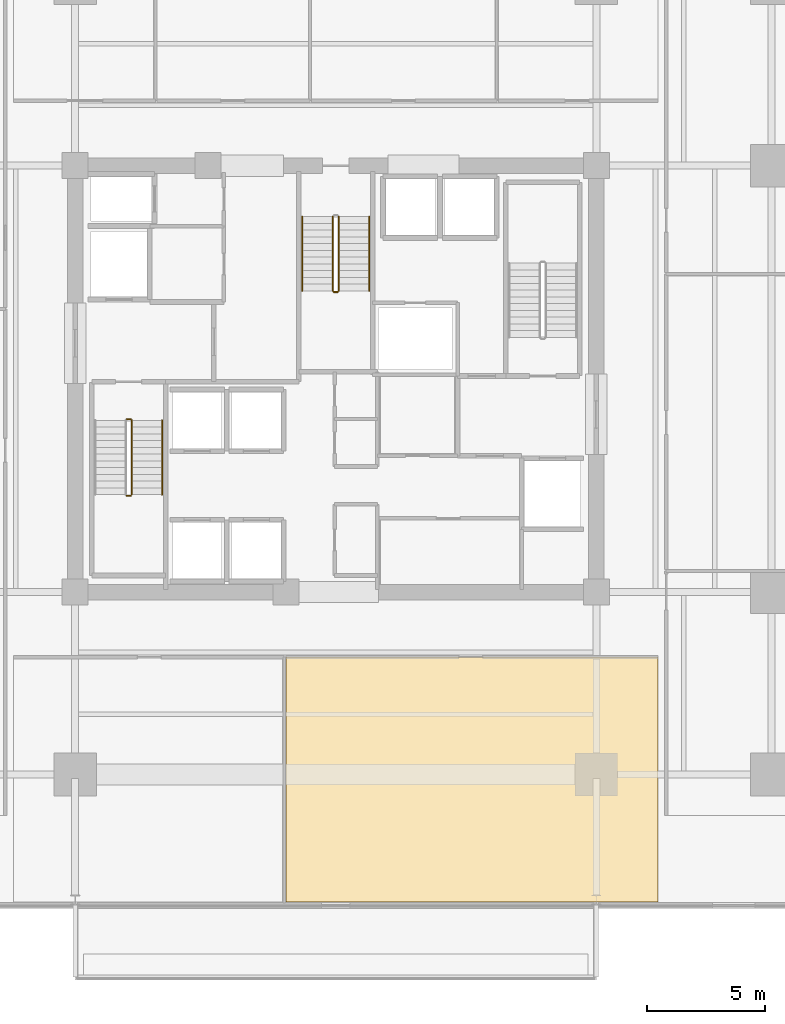
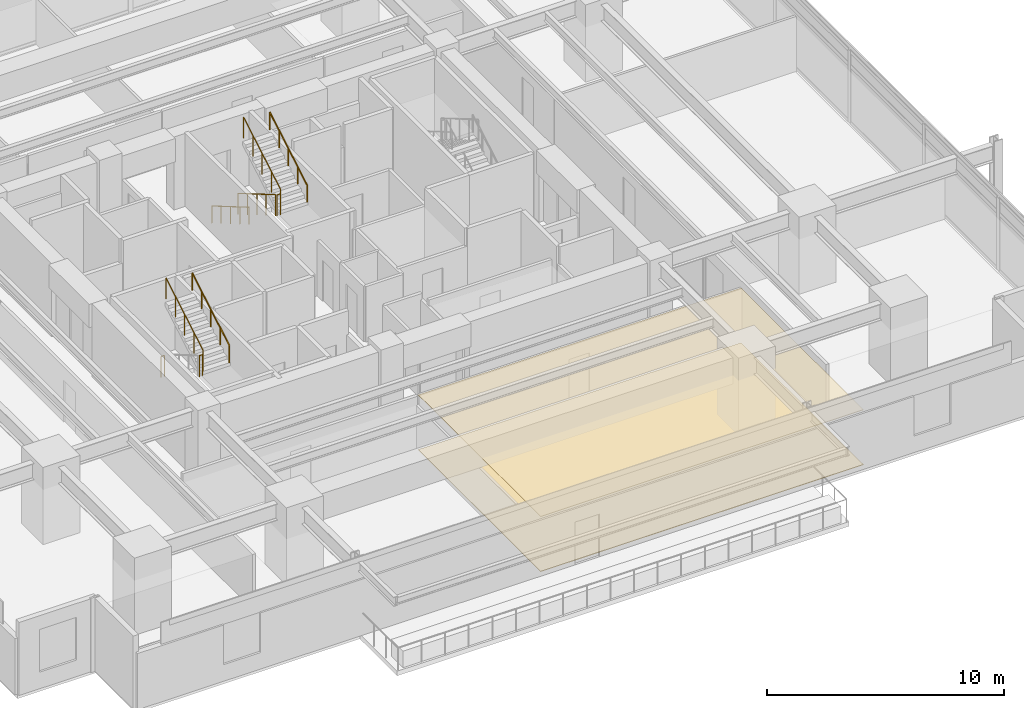
# One storey, part 20 of 23: 9 railings, 2 coverings.
"""IFC4 building model written with IfcOpenShell, lengths in metres."""

import ifcopenshell
import ifcopenshell.guid

model = None  # the IFC model being written
_history = None  # IfcOwnerHistory: only IFC2X3 demands one
_inside = {}  # id of a spatial element -> (the spatial element, [elements in it])
_under = {}  # id of a project, library or spatial element -> (it, [spatial elements below it])
_declared = {}  # id of a project -> (the project, [libraries it declares])
_typed = {}  # id of a type object -> (the type object, [elements of that type])
_made_of = {}  # id of a material, layer set ... -> (it, [elements and type objects made of it])


def new_model(schema):
    """Start an empty IFC model of exactly this schema.

    Asked for "IFC4X3", IfcOpenShell would pick the latest addendum, in which some entities
    have other attributes; the version numbers below select the first issue.
    IFC2X3 requires an IfcOwnerHistory on every rooted entity: one is made here for all.
    """
    global model, _history
    if schema == "IFC4X3":
        model = ifcopenshell.file(schema_version=(4, 3, 0, 0))
    else:
        model = ifcopenshell.file(schema=schema)
    _inside.clear()
    _under.clear()
    _declared.clear()
    _typed.clear()
    _made_of.clear()
    _history = None
    if model.schema == "IFC2X3":
        org = make("IfcOrganization", Name="unknown")
        user = make(
            "IfcPersonAndOrganization",
            ThePerson=make("IfcPerson", FamilyName="unknown"),
            TheOrganization=org,
        )
        app = make(
            "IfcApplication",
            ApplicationDeveloper=org,
            Version="unknown",
            ApplicationFullName="unknown",
            ApplicationIdentifier="unknown",
        )
        _history = make(
            "IfcOwnerHistory",
            OwningUser=user,
            OwningApplication=app,
            ChangeAction="ADDED",
            CreationDate=0,
        )
    return model


def make(cls, **values):
    """One entity of the class cls with the attributes given. An attribute that is None is left unset."""
    return model.create_entity(
        cls, **{name: value for name, value in values.items() if value is not None}
    )


def rooted(cls, **values):
    """An entity with a GlobalId (a new one), such as an element, a storey or a relation."""
    return make(cls, GlobalId=ifcopenshell.guid.new(), OwnerHistory=_history, **values)


def si_unit(unit_type, name, prefix=None):
    """IfcSIUnit, for example si_unit("LENGTHUNIT", "METRE", prefix="MILLI")."""
    return make("IfcSIUnit", UnitType=unit_type, Prefix=prefix, Name=name)


def assignment(units):
    """IfcUnitAssignment: the units of a project."""
    return None if units is None else make("IfcUnitAssignment", Units=units)


def point(xyz):
    """IfcCartesianPoint."""
    return None if xyz is None else make("IfcCartesianPoint", Coordinates=xyz)


def direction(xyz):
    """IfcDirection."""
    return None if xyz is None else make("IfcDirection", DirectionRatios=xyz)


def frame(location, z_axis=None, x_axis=None):
    """IfcAxis2Placement3D, a coordinate frame: its origin and axes. An axis left out is left unset."""
    return make(
        "IfcAxis2Placement3D",
        Location=point(location),
        Axis=direction(z_axis),
        RefDirection=direction(x_axis),
    )


def frame_2d(location, x_axis=None):
    """IfcAxis2Placement2D, a coordinate frame in the plane: its origin and x axis."""
    return make(
        "IfcAxis2Placement2D", Location=point(location), RefDirection=direction(x_axis)
    )


def origin():
    """The frame at (0, 0, 0) with its axes left unset."""
    return frame((0.0, 0.0, 0.0))


def origin_2d():
    """The frame at (0, 0) in the plane with its x axis left unset."""
    return frame_2d((0.0, 0.0))


def place(relative_to, where):
    """IfcLocalPlacement: puts the frame where relative to a parent placement (None: the world)."""
    return make(
        "IfcLocalPlacement", PlacementRelTo=relative_to, RelativePlacement=where
    )


def context(
    kind, dimensions, precision=None, world=None, true_north=None, identifier=None
):
    """IfcGeometricRepresentationContext, for example the 3D "Model" context."""
    return make(
        "IfcGeometricRepresentationContext",
        ContextIdentifier=identifier,
        ContextType=kind,
        CoordinateSpaceDimension=dimensions,
        Precision=precision,
        WorldCoordinateSystem=world,
        TrueNorth=true_north,
    )


def subcontext(parent, identifier, kind, view, scale=None):
    """IfcGeometricRepresentationSubContext, for example "Body" below "Model"."""
    return make(
        "IfcGeometricRepresentationSubContext",
        ContextIdentifier=identifier,
        ContextType=kind,
        ParentContext=parent,
        TargetScale=scale,
        TargetView=view,
    )


def project(units=None, contexts=None):
    """IfcProject with its units and contexts."""
    return rooted(
        "IfcProject",
        Name="project",
        RepresentationContexts=contexts,
        UnitsInContext=assignment(units),
    )


def spatial(cls, under=None, at=None, **own):
    """A site, building, storey or space (cls), placed at a placement, below another one or the project."""
    s = rooted(cls, ObjectPlacement=at, **own)
    if under is not None:
        _under.setdefault(under.id(), (under, []))[1].append(s)
    return s


def polyline(points):
    """IfcPolyline through the points."""
    return make("IfcPolyline", Points=[point(p) for p in points])


def profile(cls, at=None, kind="AREA", **sizes):
    """A parametric profile (cls). Its sizes go by their IFC names, for example OverallWidth=200.0."""
    return make(cls, ProfileType=kind, Position=at, **sizes)


def circle(**sizes):
    """IfcCircleProfileDef."""
    return profile("IfcCircleProfileDef", **sizes)


def outline(outer, holes=None, kind="AREA"):
    """IfcArbitraryClosedProfileDef: a profile drawn as a closed curve; with holes, ...WithVoids."""
    if holes is None:
        return make("IfcArbitraryClosedProfileDef", ProfileType=kind, OuterCurve=outer)
    return make(
        "IfcArbitraryProfileDefWithVoids",
        ProfileType=kind,
        OuterCurve=outer,
        InnerCurves=holes,
    )


def extrude(swept, where, along, depth):
    """IfcExtrudedAreaSolid: the profile swept, set in the frame where, extruded along a direction by depth."""
    return make(
        "IfcExtrudedAreaSolid",
        SweptArea=swept,
        Position=where,
        ExtrudedDirection=direction(along),
        Depth=depth,
    )


def shape(context_of_items, identifier, shape_type, items):
    """IfcShapeRepresentation: the items that make up one representation, for example the "Body"."""
    return make(
        "IfcShapeRepresentation",
        ContextOfItems=context_of_items,
        RepresentationIdentifier=identifier,
        RepresentationType=shape_type,
        Items=items,
    )


def material(Name=None, Category=None):
    """IfcMaterial."""
    return make("IfcMaterial", Name=Name, Category=Category)


def layer(
    of_material, thickness, ventilated=None, Name=None, Category=None, Priority=None
):
    """IfcMaterialLayer: one layer of a wall or slab, of a material (None: an air gap)."""
    return make(
        "IfcMaterialLayer",
        Material=of_material,
        LayerThickness=thickness,
        IsVentilated=ventilated,
        Name=Name,
        Category=Category,
        Priority=Priority,
    )


def layer_set(layers, Name=None):
    """IfcMaterialLayerSet."""
    return make("IfcMaterialLayerSet", MaterialLayers=layers, LayerSetName=Name)


def made_of(thing, what):
    """Note that an element or type object is made of a material, layer set ...; save() writes the relation."""
    if what is not None:
        _made_of.setdefault(what.id(), (what, []))[1].append(thing)
    return thing


def type_object(cls, material=None, **own):
    """A type object (cls), such as IfcWallType, which elements share."""
    return made_of(rooted(cls, **own), material)


def element(
    cls,
    number,
    at=None,
    inside=None,
    cuts=None,
    type_object=None,
    material=None,
    context=None,
    identifier="Body",
    shape_type=None,
    held_by="IfcProductDefinitionShape",
    body=None,
    shapes=None,
    **own,
):
    """One element of the class cls, such as IfcWall. Its Tag is "e" and its number.

    at: its placement. inside: the storey or other place that contains it. cuts: it is an
    opening in that element (IfcRelVoidsElement). A single representation is given by context,
    identifier, shape_type and body (its items); several are given by shapes. held_by: the class
    of the entity that holds the representations. save() writes the other relations.
    """
    e = rooted(cls, Tag="e%d" % number, ObjectPlacement=at, **own)
    if body is not None:
        shapes = [shape(context, identifier, shape_type, body)]
    if shapes is not None:
        e.Representation = make(held_by, Representations=shapes)
    if inside is not None:
        _inside.setdefault(inside.id(), (inside, []))[1].append(e)
    if cuts is not None:
        rooted(
            "IfcRelVoidsElement", RelatingBuildingElement=cuts, RelatedOpeningElement=e
        )
    if type_object is not None:
        _typed.setdefault(type_object.id(), (type_object, []))[1].append(e)
    return made_of(e, material)


def aggregate(whole, parts):
    """IfcRelAggregates: a whole, such as a stair, and the parts it consists of."""
    return rooted("IfcRelAggregates", RelatingObject=whole, RelatedObjects=parts)


def save(model, path):
    """Write the relations noted so far, then the file.

    IfcRelAggregates (storeys below a building ...), IfcRelContainedInSpatialStructure (elements
    in a storey), IfcRelDefinesByType, IfcRelAssociatesMaterial and IfcRelDeclares: one each for
    every whole, place, type object, material and project.
    """
    for whole, parts in _under.values():
        aggregate(whole, parts)
    for where, things in _inside.values():
        rooted(
            "IfcRelContainedInSpatialStructure",
            RelatedElements=things,
            RelatingStructure=where,
        )
    for kind, things in _typed.values():
        rooted("IfcRelDefinesByType", RelatedObjects=things, RelatingType=kind)
    for what, things in _made_of.values():
        rooted("IfcRelAssociatesMaterial", RelatedObjects=things, RelatingMaterial=what)
    for by, libraries in _declared.values():
        rooted("IfcRelDeclares", RelatingContext=by, RelatedDefinitions=libraries)
    model.write(path)


model = new_model("IFC4")

# Units and contexts
model_context = context("Model", 3, precision=1e-05, world=origin(), true_north=direction((0.0, 1.0)))
body_context = subcontext(model_context, "Body", "Model", "MODEL_VIEW")
ifc_project = project(units=[si_unit("LENGTHUNIT", "METRE"), si_unit("AREAUNIT", "SQUARE_METRE"), si_unit("VOLUMEUNIT", "CUBIC_METRE"), si_unit("PLANEANGLEUNIT", "RADIAN"), si_unit("MASSUNIT", "GRAM", prefix="KILO")], contexts=[model_context])

# Site, building, storey
site_placement = place(None, origin())
site = spatial("IfcSite", under=ifc_project, at=site_placement, CompositionType="ELEMENT")
building_placement = place(site_placement, origin())
building = spatial("IfcBuilding", under=site, at=building_placement, Name="Kovane Verandah Tower", CompositionType="ELEMENT")
storey_placement = place(building_placement, frame((0.0, 0.0, 55.60009765625)))
storey = spatial("IfcBuildingStorey", under=building, at=storey_placement, Name="L12", CompositionType="ELEMENT", Elevation=55.60009765625)

# Coverings
ifc_material_1 = material(Name="Perforated Acoustic Mineral-Fibre Ceiling Tile", Category="gypsum")
ifc_layer_1 = layer(ifc_material_1, 0.02490234375)
ifc_layer_set_1 = layer_set([ifc_layer_1], Name="Perforated Acoustic Mineral-Fibre Ceiling Tile")
covering_type_1 = type_object("IfcCoveringType", Name="CV-CEIL-25", PredefinedType="CEILING", material=ifc_layer_set_1)
covering_1_placement = place(storey_placement, frame((0.0, 0.0, 2.824951171875)))
element("IfcCovering", 1, at=covering_1_placement, inside=storey, type_object=covering_type_1, Name="L12 Document and Print Room S2 Acoustic Ceiling", PredefinedType="CEILING", context=body_context, shape_type="SweptSolid", body=[
    extrude(outline(polyline([(37.89404296875, 5.4228515625), (53.60009765625, 5.4228515625), (53.60009765625, 15.75), (37.89404296875, 15.75), (37.89404296875, 5.4228515625)])), origin(), (0.0, 0.0, 1.0), 0.02490234375),
])
ifc_material_2 = material(Name="Polished Terrazzo and Raised-Access Carpet Tile Finish", Category="concrete")
ifc_layer_2 = layer(ifc_material_2, 0.030029296875)
ifc_layer_set_2 = layer_set([ifc_layer_2], Name="Polished Terrazzo and Raised-Access Carpet Tile Finish")
covering_type_2 = type_object("IfcCoveringType", Name="CV-FLOR-30", PredefinedType="FLOORING", material=ifc_layer_set_2)
covering_2_placement = place(storey_placement, origin())
element("IfcCovering", 2, at=covering_2_placement, inside=storey, type_object=covering_type_2, Name="L12 Document and Print Room S2 Floor Finish", PredefinedType="FLOORING", context=body_context, shape_type="SweptSolid", body=[
    extrude(outline(polyline([(37.89404296875, 5.4228515625), (53.60009765625, 5.4228515625), (53.60009765625, 15.75), (37.89404296875, 15.75), (37.89404296875, 5.4228515625)])), origin(), (0.0, 0.0, 1.0), 0.02978515625),
])

# Railings
ifc_material_3 = material(Name="Brushed Stainless Steel Handrail", Category="steel")
railing_type_1 = type_object("IfcRailingType", Name="RL-HAND-920", PredefinedType="HANDRAIL", material=ifc_material_3)
railing_1_placement = place(storey_placement, frame((32.669921875, 22.614990234375, 2.16650390625)))
element("IfcRailing", 3, at=railing_1_placement, inside=storey, type_object=railing_type_1, Name="L12 ST-01 stair handrail 2", PredefinedType="HANDRAIL", context=body_context, shape_type="SweptSolid", body=[
    extrude(circle(Radius=0.02392578125, at=origin_2d()), frame((0.0, 0.0, 0.8759765625), z_axis=(0.0, 0.863210265497, 0.504844567704), x_axis=(-1.0, 0.0, 0.0)), (0.0, 0.0, 1.0), 3.6318359375),
    extrude(circle(Radius=0.02099609375, at=origin_2d()), origin(), (0.0, 0.0, 1.0), 0.851806640625),
    extrude(circle(Radius=0.02099609375, at=origin_2d()), frame((0.0, 0.78369140625, 0.45849609375)), (0.0, 0.0, 1.0), 0.851806640625),
    extrude(circle(Radius=0.02099609375, at=origin_2d()), frame((0.0, 1.5673828125, 0.916748046875)), (0.0, 0.0, 1.0), 0.851806640625),
    extrude(circle(Radius=0.02099609375, at=origin_2d()), frame((0.0, 2.351318359375, 1.375)), (0.0, 0.0, 1.0), 0.851806640625),
    extrude(circle(Radius=0.02099609375, at=origin_2d()), frame((0.0, 3.135009765625, 1.83349609375)), (0.0, 0.0, 1.0), 0.851806640625),
])
railing_2_placement = place(storey_placement, frame((38.590087890625, 34.35009765625, 0.16650390625)))
element("IfcRailing", 4, at=railing_2_placement, inside=storey, type_object=railing_type_1, Name="L12 ST-03 stair handrail 1", PredefinedType="HANDRAIL", context=body_context, shape_type="SweptSolid", body=[
    extrude(circle(Radius=0.02392578125, at=origin_2d()), frame((0.0, 0.0, 0.8759765625), z_axis=(0.0, -0.863210265497, 0.504844567704), x_axis=(1.0, 0.0, 0.0)), (0.0, 0.0, 1.0), 3.6318359375),
    extrude(circle(Radius=0.02099609375, at=origin_2d()), origin(), (0.0, 0.0, 1.0), 0.851806640625),
    extrude(circle(Radius=0.02099609375, at=origin_2d()), frame((0.0, -0.78369140625, 0.45849609375)), (0.0, 0.0, 1.0), 0.851806640625),
    extrude(circle(Radius=0.02099609375, at=origin_2d()), frame((0.0, -1.5673828125, 0.916748046875)), (0.0, 0.0, 1.0), 0.851806640625),
    extrude(circle(Radius=0.02099609375, at=origin_2d()), frame((0.0, -2.351318359375, 1.375)), (0.0, 0.0, 1.0), 0.851806640625),
    extrude(circle(Radius=0.02099609375, at=origin_2d()), frame((0.0, -3.135009765625, 1.83349609375)), (0.0, 0.0, 1.0), 0.851806640625),
])
railing_3_placement = place(storey_placement, frame((41.409912109375, 31.215087890625, 2.16650390625)))
element("IfcRailing", 5, at=railing_3_placement, inside=storey, type_object=railing_type_1, Name="L12 ST-03 stair handrail 2", PredefinedType="HANDRAIL", context=body_context, shape_type="SweptSolid", body=[
    extrude(circle(Radius=0.02392578125, at=origin_2d()), frame((0.0, 0.0, 0.8759765625), z_axis=(0.0, 0.863210265497, 0.504844567704), x_axis=(-1.0, 0.0, 0.0)), (0.0, 0.0, 1.0), 3.6318359375),
    extrude(circle(Radius=0.02099609375, at=origin_2d()), origin(), (0.0, 0.0, 1.0), 0.851806640625),
    extrude(circle(Radius=0.02099609375, at=origin_2d()), frame((0.0, 0.78369140625, 0.45849609375)), (0.0, 0.0, 1.0), 0.851806640625),
    extrude(circle(Radius=0.02099609375, at=origin_2d()), frame((0.0, 1.5673828125, 0.916748046875)), (0.0, 0.0, 1.0), 0.851806640625),
    extrude(circle(Radius=0.02099609375, at=origin_2d()), frame((0.0, 2.351318359375, 1.375)), (0.0, 0.0, 1.0), 0.851806640625),
    extrude(circle(Radius=0.02099609375, at=origin_2d()), frame((0.0, 3.135009765625, 1.83349609375)), (0.0, 0.0, 1.0), 0.851806640625),
])
ifc_material_4 = material(Name="Painted Steel Stairwell Guardrail", Category="steel")
railing_type_2 = type_object("IfcRailingType", Name="RL-STGUARD-1120", PredefinedType="GUARDRAIL", material=ifc_material_4)
railing_4_placement = place(storey_placement, frame((31.179931640625, 22.56494140625, 2.0)))
element("IfcRailing", 6, at=railing_4_placement, inside=storey, type_object=railing_type_2, Name="L12 ST-01 stair guard 2", PredefinedType="GUARDRAIL", context=body_context, shape_type="SweptSolid", body=[
    extrude(circle(Radius=0.02392578125, at=origin_2d()), frame((0.0, 0.0, 1.076171875), z_axis=(1.0, 0.0, 0.0), x_axis=(0.0, 1.0, 0.0)), (0.0, 0.0, 1.0), 0.16015625),
    extrude(circle(Radius=0.02099609375, at=origin_2d()), origin(), (0.0, 0.0, 1.0), 1.052001953125),
    extrude(circle(Radius=0.02099609375, at=origin_2d()), frame((0.16015625, 0.0, 0.0)), (0.0, 0.0, 1.0), 1.052001953125),
])
railing_5_placement = place(storey_placement, frame((31.389892578125, 22.614990234375, 2.16650390625)))
element("IfcRailing", 7, at=railing_5_placement, inside=storey, type_object=railing_type_2, Name="L12 ST-01 stair guard 3", PredefinedType="GUARDRAIL", context=body_context, shape_type="SweptSolid", body=[
    extrude(circle(Radius=0.02392578125, at=origin_2d()), frame((0.0, 0.0, 1.076171875), z_axis=(0.0, 0.863210265497, 0.504844567704), x_axis=(-1.0, 0.0, 0.0)), (0.0, 0.0, 1.0), 3.6318359375),
    extrude(circle(Radius=0.02099609375, at=origin_2d()), origin(), (0.0, 0.0, 1.0), 1.052001953125),
    extrude(circle(Radius=0.02099609375, at=origin_2d()), frame((0.0, 0.78369140625, 0.45849609375)), (0.0, 0.0, 1.0), 1.052001953125),
    extrude(circle(Radius=0.02099609375, at=origin_2d()), frame((0.0, 1.5673828125, 0.916748046875)), (0.0, 0.0, 1.0), 1.052001953125),
    extrude(circle(Radius=0.02099609375, at=origin_2d()), frame((0.0, 2.351318359375, 1.375)), (0.0, 0.0, 1.0), 1.052001953125),
    extrude(circle(Radius=0.02099609375, at=origin_2d()), frame((0.0, 3.135009765625, 1.83349609375)), (0.0, 0.0, 1.0), 1.052001953125),
])
railing_6_placement = place(storey_placement, frame((31.179931640625, 25.800048828125, 0.0)))
element("IfcRailing", 8, at=railing_6_placement, inside=storey, type_object=railing_type_2, Name="L12 ST-01 stair guard 4", PredefinedType="GUARDRAIL", context=body_context, shape_type="SweptSolid", body=[
    extrude(circle(Radius=0.02392578125, at=origin_2d()), frame((0.0, 0.0, 1.076171875), z_axis=(1.0, 0.0, 0.0), x_axis=(0.0, 1.0, 0.0)), (0.0, 0.0, 1.0), 0.16015625),
    extrude(circle(Radius=0.02099609375, at=origin_2d()), origin(), (0.0, 0.0, 1.0), 1.052001953125),
    extrude(circle(Radius=0.02099609375, at=origin_2d()), frame((0.16015625, 0.0, 0.0)), (0.0, 0.0, 1.0), 1.052001953125),
])
railing_7_placement = place(storey_placement, frame((39.8701171875, 34.35009765625, 0.16650390625)))
element("IfcRailing", 9, at=railing_7_placement, inside=storey, type_object=railing_type_2, Name="L12 ST-03 stair guard 1", PredefinedType="GUARDRAIL", context=body_context, shape_type="SweptSolid", body=[
    extrude(circle(Radius=0.02392578125, at=origin_2d()), frame((0.0, 0.0, 1.076171875), z_axis=(0.0, -0.863210265497, 0.504844567704), x_axis=(1.0, 0.0, 0.0)), (0.0, 0.0, 1.0), 3.6318359375),
    extrude(circle(Radius=0.02099609375, at=origin_2d()), origin(), (0.0, 0.0, 1.0), 1.052001953125),
    extrude(circle(Radius=0.02099609375, at=origin_2d()), frame((0.0, -0.78369140625, 0.45849609375)), (0.0, 0.0, 1.0), 1.052001953125),
    extrude(circle(Radius=0.02099609375, at=origin_2d()), frame((0.0, -1.5673828125, 0.916748046875)), (0.0, 0.0, 1.0), 1.052001953125),
    extrude(circle(Radius=0.02099609375, at=origin_2d()), frame((0.0, -2.351318359375, 1.375)), (0.0, 0.0, 1.0), 1.052001953125),
    extrude(circle(Radius=0.02099609375, at=origin_2d()), frame((0.0, -3.135009765625, 1.83349609375)), (0.0, 0.0, 1.0), 1.052001953125),
])
railing_8_placement = place(storey_placement, frame((39.919921875, 31.1650390625, 2.0)))
element("IfcRailing", 10, at=railing_8_placement, inside=storey, type_object=railing_type_2, Name="L12 ST-03 stair guard 2", PredefinedType="GUARDRAIL", context=body_context, shape_type="SweptSolid", body=[
    extrude(circle(Radius=0.02392578125, at=origin_2d()), frame((0.0, 0.0, 1.076171875), z_axis=(1.0, 0.0, 0.0), x_axis=(0.0, 1.0, 0.0)), (0.0, 0.0, 1.0), 0.16015625),
    extrude(circle(Radius=0.02099609375, at=origin_2d()), origin(), (0.0, 0.0, 1.0), 1.052001953125),
    extrude(circle(Radius=0.02099609375, at=origin_2d()), frame((0.16015625, 0.0, 0.0)), (0.0, 0.0, 1.0), 1.052001953125),
])
railing_9_placement = place(storey_placement, frame((40.1298828125, 31.215087890625, 2.16650390625)))
element("IfcRailing", 11, at=railing_9_placement, inside=storey, type_object=railing_type_2, Name="L12 ST-03 stair guard 3", PredefinedType="GUARDRAIL", context=body_context, shape_type="SweptSolid", body=[
    extrude(circle(Radius=0.02392578125, at=origin_2d()), frame((0.0, 0.0, 1.076171875), z_axis=(0.0, 0.863210265497, 0.504844567704), x_axis=(-1.0, 0.0, 0.0)), (0.0, 0.0, 1.0), 3.6318359375),
    extrude(circle(Radius=0.02099609375, at=origin_2d()), origin(), (0.0, 0.0, 1.0), 1.052001953125),
    extrude(circle(Radius=0.02099609375, at=origin_2d()), frame((0.0, 0.78369140625, 0.45849609375)), (0.0, 0.0, 1.0), 1.052001953125),
    extrude(circle(Radius=0.02099609375, at=origin_2d()), frame((0.0, 1.5673828125, 0.916748046875)), (0.0, 0.0, 1.0), 1.052001953125),
    extrude(circle(Radius=0.02099609375, at=origin_2d()), frame((0.0, 2.351318359375, 1.375)), (0.0, 0.0, 1.0), 1.052001953125),
    extrude(circle(Radius=0.02099609375, at=origin_2d()), frame((0.0, 3.135009765625, 1.83349609375)), (0.0, 0.0, 1.0), 1.052001953125),
])

save(model, "model.ifc")
